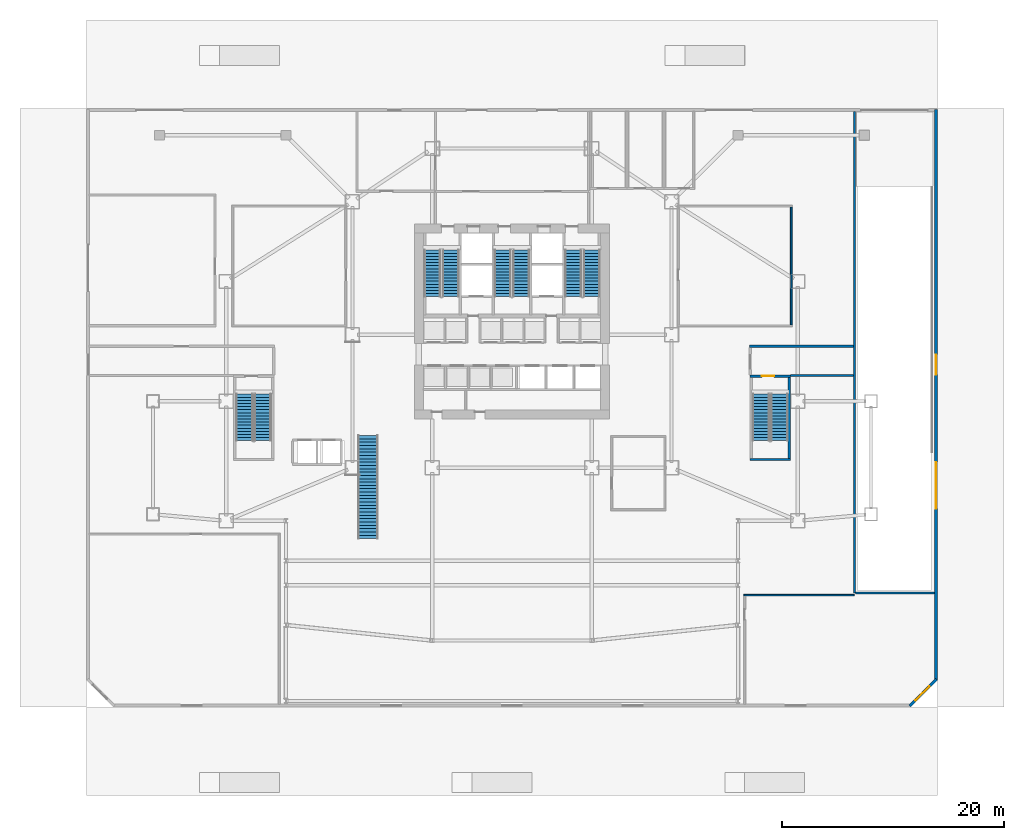
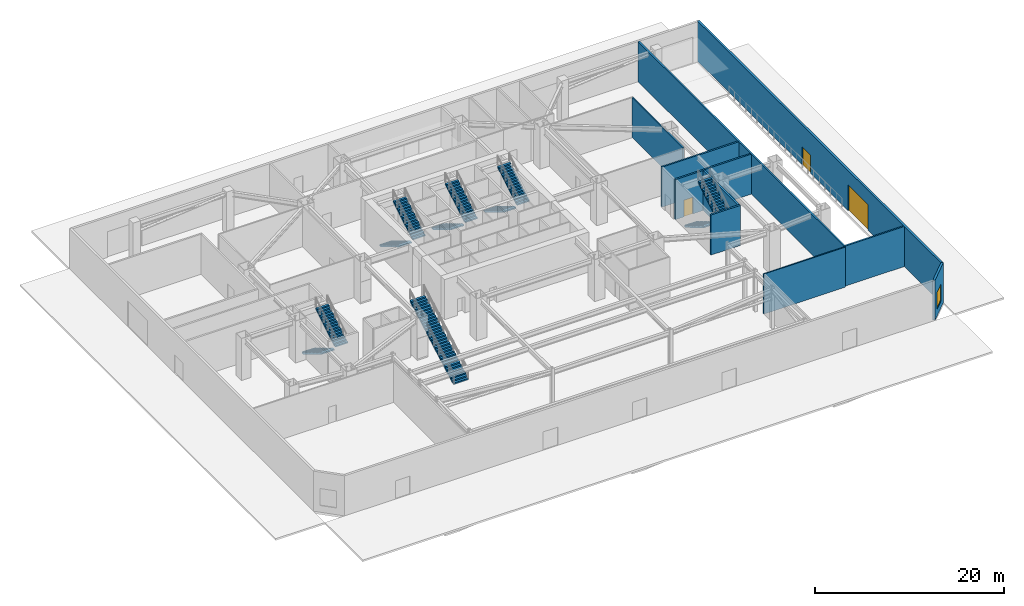
# One storey, part 13 of 20: 11 stair flights, 11 walls, 3 doors, 1 window, 4 openings, 6 elements without a shape of their own.
"""IFC4 building model written with IfcOpenShell, lengths in metres."""

from ifc_helpers import new_model, si_unit, direction, frame, frame_2d, origin, place, context, subcontext, project, spatial, polyline, rectangle, outline, extrude, material, layer, layer_set, type_object, element, fill, aggregate, save


model = new_model("IFC4")

# Units and contexts
model_context = context("Model", 3, precision=1e-05, world=origin(), true_north=direction((0.0, 1.0)))
body_context = subcontext(model_context, "Body", "Model", "MODEL_VIEW")
ifc_project = project(units=[si_unit("LENGTHUNIT", "METRE"), si_unit("AREAUNIT", "SQUARE_METRE"), si_unit("VOLUMEUNIT", "CUBIC_METRE"), si_unit("PLANEANGLEUNIT", "RADIAN"), si_unit("MASSUNIT", "GRAM", prefix="KILO")], contexts=[model_context])

# Site, building, storey
site_placement = place(None, origin())
site = spatial("IfcSite", under=ifc_project, at=site_placement, CompositionType="ELEMENT")
building_placement = place(site_placement, origin())
building = spatial("IfcBuilding", under=site, at=building_placement, Name="Haolan Belvedere Tower", CompositionType="ELEMENT")
storey_placement = place(building_placement, origin())
storey = spatial("IfcBuildingStorey", under=building, at=storey_placement, Name="L00", CompositionType="ELEMENT", Elevation=0.0)

# Wall, opening, window
ifc_material_1 = material(Name="Precast concrete C40/50", Category="concrete")
ifc_layer_1 = layer(ifc_material_1, 0.260009765625, Name="Precast concrete C40/50")
ifc_layer_set_1 = layer_set([ifc_layer_1], Name="Precast concrete C40/50")
wall_type_1 = type_object("IfcWallType", Name="WL-EXT-260", PredefinedType="SOLIDWALL", material=ifc_layer_set_1)
wall_1_placement = place(storey_placement, frame((74.307373046875, 0.091064453125, 0.0), z_axis=(0.0, 0.0, 1.0), x_axis=(0.707106781187, 0.707106781187, 0.0)))
wall_1 = element("IfcWall", 1, at=wall_1_placement, inside=storey, type_object=wall_type_1, Name="L00 pale-metal exterior spandrel wall 1.1", PredefinedType="SOLIDWALL", context=body_context, shape_type="SweptSolid", body=[
    extrude(rectangle(XDim=3.396484375, YDim=0.260009765625, at=frame_2d((1.6982421875, 0.0))), origin(), (0.0, 0.0, 1.0), 5.159912109375),
])
opening_1_placement = place(wall_1_placement, frame((0.699951171875, 0.0, 0.85009765625)))
opening_1 = element("IfcOpeningElement", 2, at=opening_1_placement, cuts=wall_1, Name="Opening W-05", PredefinedType="OPENING", context=body_context, shape_type="SweptSolid", body=[
    extrude(rectangle(XDim=1.800048828125, YDim=2.199951171875, at=frame_2d((0.89990234375, 1.10009765625))), frame((0.0, 0.139892578125, 0.0), z_axis=(0.0, -1.0, 0.0), x_axis=(1.0, 0.0, 0.0)), (0.0, 0.0, 1.0), 0.280029296875),
])
ifc_material_2 = material(Name="Anodised aluminium 6063-T6 and Low-E glass", Category="aluminium")
window_type = type_object("IfcWindowType", Name="WN-POD-210", PartitioningType="SINGLE_PANEL", PredefinedType="WINDOW", material=ifc_material_2)
window_placement = place(opening_1_placement, origin())
window = element("IfcWindow", 3, at=window_placement, inside=storey, type_object=window_type, Name="L00 Art Deco chevron window 1", OverallHeight=2.199951171875, OverallWidth=1.800048828125, PartitioningType="SINGLE_PANEL", PredefinedType="WINDOW", context=body_context, shape_type="SweptSolid", body=[
    extrude(rectangle(XDim=1.800048828125, YDim=2.199951171875, at=frame_2d((0.89990234375, 1.10009765625))), frame((0.0, 0.030029296875, 0.0), z_axis=(0.0, -1.0, 0.0), x_axis=(1.0, 0.0, 0.0)), (0.0, 0.0, 1.0), 0.06005859375),
])
fill(opening_1, window)

# Wall, openings, doors
wall_2_placement = place(storey_placement, frame((76.669921875, 2.398681640625, 0.0), z_axis=(0.0, 0.0, 1.0), x_axis=(0.0, 1.0, 0.0)))
wall_2 = element("IfcWall", 4, at=wall_2_placement, inside=storey, type_object=wall_type_1, Name="L00 pale-metal exterior spandrel wall 2.1", PredefinedType="SOLIDWALL", context=body_context, shape_type="SweptSolid", body=[
    extrude(rectangle(XDim=51.5263671875, YDim=0.260009765625, at=frame_2d((25.76318359375, 0.0))), origin(), (0.0, 0.0, 1.0), 5.159912109375),
])
opening_2_placement = place(wall_2_placement, frame((29.4013671875, 0.0, 0.0), z_axis=(0.0, 0.0, 1.0), x_axis=(-1.0, 0.0, 0.0)))
opening_2 = element("IfcOpeningElement", 5, at=opening_2_placement, cuts=wall_2, Name="Opening ED-01", PredefinedType="OPENING", context=body_context, shape_type="SweptSolid", body=[
    extrude(rectangle(XDim=1.800048828125, YDim=2.35009765625, at=frame_2d((0.89990234375, 1.175048828125))), frame((0.0, 0.139892578125, 0.0), z_axis=(0.0, -1.0, 0.0), x_axis=(1.0, 0.0, 0.0)), (0.0, 0.0, 1.0), 0.280029296875),
])
opening_3_placement = place(wall_2_placement, frame((19.701171875, 0.0, 0.0), z_axis=(0.0, 0.0, 1.0), x_axis=(-1.0, 0.0, 0.0)))
opening_3 = element("IfcOpeningElement", 6, at=opening_3_placement, cuts=wall_2, Name="Opening VG-02", PredefinedType="OPENING", context=body_context, shape_type="SweptSolid", body=[
    extrude(rectangle(XDim=4.199951171875, YDim=3.300048828125, at=frame_2d((2.10009765625, 1.64990234375))), frame((0.0, 0.139892578125, 0.0), z_axis=(0.0, -1.0, 0.0), x_axis=(1.0, 0.0, 0.0)), (0.0, 0.0, 1.0), 0.280029296875),
])
ifc_material_3 = material(Name="Anodised aluminium and tempered glass", Category="aluminium")
door_type_1 = type_object("IfcDoorType", Name="DR-EXT-EXIT-1800", OperationType="DOUBLE_DOOR_SINGLE_SWING", PredefinedType="DOOR", material=ifc_material_3)
door_1_placement = place(opening_2_placement, origin())
door_1 = element("IfcDoor", 7, at=door_1_placement, inside=storey, type_object=door_type_1, Name="L00 east stair ST5 exit discharge door", OperationType="DOUBLE_DOOR_SINGLE_SWING", OverallHeight=2.35009765625, OverallWidth=1.800048828125, PredefinedType="DOOR", context=body_context, shape_type="SweptSolid", body=[
    extrude(rectangle(XDim=1.800048828125, YDim=2.35009765625, at=frame_2d((0.89990234375, 1.175048828125))), frame((0.0, 0.02490234375, 0.0), z_axis=(0.0, -1.0, 0.0), x_axis=(1.0, 0.0, 0.0)), (0.0, 0.0, 1.0), 0.050048828125),
])
fill(opening_2, door_1)
ifc_material_4 = material(Name="Insulated aluminium service bay shutter gate", Category="aluminium")
door_type_2 = type_object("IfcDoorType", Name="DR-GATE-4200", OperationType="SLIDING_TO_RIGHT", PredefinedType="GATE", material=ifc_material_4)
door_2_placement = place(opening_3_placement, origin())
door_2 = element("IfcDoor", 8, at=door_2_placement, inside=storey, type_object=door_type_2, Name="L00 east banquet loading shutter gate VG-04", OperationType="SLIDING_TO_LEFT", OverallHeight=3.300048828125, OverallWidth=4.199951171875, PredefinedType="GATE", context=body_context, shape_type="SweptSolid", body=[
    extrude(rectangle(XDim=4.199951171875, YDim=3.300048828125, at=frame_2d((2.10009765625, 1.64990234375))), frame((0.0, 0.02490234375, 0.0), z_axis=(0.0, -1.0, 0.0), x_axis=(1.0, 0.0, 0.0)), (0.0, 0.0, 1.0), 0.050048828125),
])
fill(opening_3, door_2)

# Walls
ifc_material_5 = material(Name="Concrete C40/50", Category="concrete")
ifc_layer_2 = layer(ifc_material_5, 0.199951171875, Name="Concrete C40/50")
ifc_layer_set_2 = layer_set([ifc_layer_2], Name="Concrete C40/50")
wall_type_2 = type_object("IfcWallType", Name="WL-FIRE-200", PredefinedType="SOLIDWALL", material=ifc_layer_set_2)
wall_3_placement = place(storey_placement, frame((69.300048828125, 10.300048828125, 0.0), z_axis=(0.0, 0.0, 1.0), x_axis=(0.0, 1.0, 0.0)))
element("IfcWall", 9, at=wall_3_placement, inside=storey, type_object=wall_type_2, Name="L00 interior partition IW-L00-RMPE-W", PredefinedType="SOLIDWALL", context=body_context, shape_type="SweptSolid", body=[
    extrude(rectangle(XDim=43.449951171875, YDim=0.199951171875, at=frame_2d((21.72509765625, 0.0))), origin(), (0.0, 0.0, 1.0), 5.159912109375),
])
wall_4_placement = place(storey_placement, frame((69.385009765625, 10.300048828125, 0.0), z_axis=(0.0, 0.0, 1.0), x_axis=(1.0, 0.0, 0.0)))
element("IfcWall", 10, at=wall_4_placement, inside=storey, type_object=wall_type_2, Name="L00 interior partition IW-L00-RMPE-S", PredefinedType="SOLIDWALL", context=body_context, shape_type="SweptSolid", body=[
    extrude(rectangle(XDim=7.1650390625, YDim=0.199951171875, at=frame_2d((3.58251953125, 0.0))), origin(), (0.0, 0.0, 1.0), 5.159912109375),
])
wall_5_placement = place(storey_placement, frame((59.820068359375, 32.550048828125, 0.0), z_axis=(0.0, 0.0, 1.0), x_axis=(1.0, 0.0, 0.0)))
element("IfcWall", 11, at=wall_5_placement, inside=storey, type_object=wall_type_2, Name="L00 interior partition IW-L00-EXP-E-N", PredefinedType="SOLIDWALL", context=body_context, shape_type="SweptSolid", body=[
    extrude(rectangle(XDim=9.39501953125, YDim=0.199951171875, at=frame_2d((4.697509765625, 0.0))), origin(), (0.0, 0.0, 1.0), 5.159912109375),
])
wall_6_placement = place(storey_placement, frame((63.52197265625, 29.919921875, 0.0), z_axis=(0.0, 0.0, 1.0), x_axis=(1.0, 0.0, 0.0)))
element("IfcWall", 12, at=wall_6_placement, inside=storey, type_object=wall_type_2, Name="L00 interior partition IW-L00-EXP-E-SE", PredefinedType="SOLIDWALL", context=body_context, shape_type="SweptSolid", body=[
    extrude(rectangle(XDim=5.693115234375, YDim=0.199951171875, at=frame_2d((2.8466796875, 0.0))), origin(), (0.0, 0.0, 1.0), 5.159912109375),
])
ifc_material_6 = material(Name="Double gypsum acoustic stud partition", Category="masonry")
ifc_layer_3 = layer(ifc_material_6, 0.14990234375, Name="Double gypsum acoustic stud partition")
ifc_layer_set_3 = layer_set([ifc_layer_3], Name="Double gypsum acoustic stud partition")
wall_type_3 = type_object("IfcWallType", Name="WL-PART-150", PredefinedType="PARTITIONING", material=ifc_layer_set_3)
wall_7_placement = place(storey_placement, frame((59.320068359375, 10.10009765625, 0.0), z_axis=(0.0, 0.0, 1.0), x_axis=(1.0, 0.0, 0.0)))
element("IfcWall", 13, at=wall_7_placement, inside=storey, type_object=wall_type_3, Name="L00 interior partition IW-L00-RET-E-N", PredefinedType="PARTITIONING", context=body_context, shape_type="SweptSolid", body=[
    extrude(rectangle(XDim=9.9599609375, YDim=0.14990234375, at=frame_2d((4.97998046875, 0.0))), origin(), (0.0, 0.0, 1.0), 5.159912109375),
])
wall_8_placement = place(storey_placement, frame((63.60009765625, 34.4599609375, 0.0), z_axis=(0.0, 0.0, 1.0), x_axis=(0.0, 1.0, 0.0)))
element("IfcWall", 14, at=wall_8_placement, inside=storey, type_object=wall_type_3, Name="L00 interior partition IW-L00-CONC-E", PredefinedType="PARTITIONING", context=body_context, shape_type="SweptSolid", body=[
    extrude(rectangle(XDim=10.679931640625, YDim=0.14990234375, at=frame_2d((5.33984375, 0.0))), origin(), (0.0, 0.0, 1.0), 5.159912109375),
])

# Wall, opening, door
ifc_material_7 = material(Name="Concrete C50/60", Category="concrete")
ifc_layer_4 = layer(ifc_material_7, 0.219970703125, Name="Concrete C50/60")
ifc_layer_set_4 = layer_set([ifc_layer_4], Name="Concrete C50/60")
wall_type_4 = type_object("IfcWallType", Name="WL-STAIR-220", PredefinedType="SHEAR", material=ifc_layer_set_4)
wall_9_placement = place(storey_placement, frame((59.89990234375, 29.860107421875, 0.0), z_axis=(0.0, 0.0, 1.0), x_axis=(1.0, 0.0, 0.0)))
wall_9 = element("IfcWall", 15, at=wall_9_placement, inside=storey, type_object=wall_type_4, Name="L00 podium stair ST5 structural shaft wall N", PredefinedType="SHEAR", context=body_context, shape_type="SweptSolid", body=[
    extrude(rectangle(XDim=3.6201171875, YDim=0.219970703125, at=frame_2d((1.81005859375, 0.0))), origin(), (0.0, 0.0, 1.0), 5.159912109375),
])
opening_4_placement = place(wall_9_placement, frame((1.050048828125, 0.0, 0.0)))
opening_4 = element("IfcOpeningElement", 16, at=opening_4_placement, cuts=wall_9, Name="Opening FD-03", PredefinedType="OPENING", context=body_context, shape_type="SweptSolid", body=[
    extrude(rectangle(XDim=1.10009765625, YDim=2.14990234375, at=frame_2d((0.550048828125, 1.074951171875))), frame((0.0, 0.119873046875, 0.0), z_axis=(0.0, -1.0, 0.0), x_axis=(1.0, 0.0, 0.0)), (0.0, 0.0, 1.0), 0.239990234375),
])
ifc_material_8 = material(Name="Galvanised fire-rated steel", Category="steel")
door_type_3 = type_object("IfcDoorType", Name="DR-FD90-1100", OperationType="NOTDEFINED", PredefinedType="DOOR", material=ifc_material_8)
door_3_placement = place(opening_4_placement, origin())
door_3 = element("IfcDoor", 17, at=door_3_placement, inside=storey, type_object=door_type_3, Name="L00 door ID-L00-D-ST5", OperationType="SINGLE_SWING_RIGHT", OverallHeight=2.14990234375, OverallWidth=1.10009765625, PredefinedType="DOOR", context=body_context, shape_type="SweptSolid", body=[
    extrude(rectangle(XDim=1.10009765625, YDim=2.14990234375, at=frame_2d((0.550048828125, 1.074951171875))), frame((0.0, 0.02490234375, 0.0), z_axis=(0.0, -1.0, 0.0), x_axis=(1.0, 0.0, 0.0)), (0.0, 0.0, 1.0), 0.050048828125),
])
fill(opening_4, door_3)

# Walls
wall_10_placement = place(storey_placement, frame((59.89990234375, 22.340087890625, 0.0), z_axis=(0.0, 0.0, 1.0), x_axis=(1.0, 0.0, 0.0)))
element("IfcWall", 18, at=wall_10_placement, inside=storey, type_object=wall_type_4, Name="L00 podium stair ST5 structural shaft wall S", PredefinedType="SHEAR", context=body_context, shape_type="SweptSolid", body=[
    extrude(rectangle(XDim=3.6201171875, YDim=0.219970703125, at=frame_2d((1.81005859375, 0.0))), origin(), (0.0, 0.0, 1.0), 5.159912109375),
])
wall_11_placement = place(storey_placement, frame((63.409912109375, 22.449951171875, 0.0), z_axis=(0.0, 0.0, 1.0), x_axis=(0.0, 1.0, 0.0)))
element("IfcWall", 19, at=wall_11_placement, inside=storey, type_object=wall_type_4, Name="L00 podium stair ST5 structural shaft wall E", PredefinedType="SHEAR", context=body_context, shape_type="SweptSolid", body=[
    extrude(rectangle(XDim=7.300048828125, YDim=0.219970703125, at=frame_2d((3.64990234375, 0.0))), origin(), (0.0, 0.0, 1.0), 5.159912109375),
])

# Stair, stair flights
stair_type_1 = type_object("IfcStairType", Name="STR-DL-32R-169", PredefinedType="HALF_TURN_STAIR", material=ifc_material_5)
stair_1_placement = place(storey_placement, origin())
stair_1 = element("IfcStair", 20, at=stair_1_placement, inside=storey, type_object=stair_type_1, Name="L00 Smokeproof Core Exit Stair ST1", PredefinedType="HALF_TURN_STAIR")
stair_flight_type_1 = type_object("IfcStairFlightType", Name="SFL-DL-16R-169", PredefinedType="STRAIGHT", material=ifc_material_5)
stair_flight_1_placement = place(storey_placement, frame((31.2099609375, 41.22998046875, 0.0), z_axis=(0.0, 0.0, 1.0), x_axis=(0.0, -1.0, 0.0)))
stair_flight_1 = element("IfcStairFlight", 21, at=stair_flight_1_placement, type_object=stair_flight_type_1, Name="ST1 flight 1", NumberOfRisers=16, NumberOfTreads=15, PredefinedType="STRAIGHT", RiserHeight=0.16875, TreadLength=0.28, context=body_context, shape_type="SweptSolid", body=[
    extrude(outline(polyline([(0.0, 0.0), (0.0, 0.168701171875), (0.280029296875, 0.168701171875), (0.280029296875, 0.33740234375), (0.56005859375, 0.33740234375), (0.56005859375, 0.50634765625), (0.840087890625, 0.50634765625), (0.840087890625, 0.675048828125), (1.1201171875, 0.675048828125), (1.1201171875, 0.84375), (1.39990234375, 0.84375), (1.39990234375, 1.012451171875), (1.679931640625, 1.012451171875), (1.679931640625, 1.18115234375), (1.9599609375, 1.18115234375), (1.9599609375, 1.35009765625), (2.239990234375, 1.35009765625), (2.239990234375, 1.518798828125), (2.52001953125, 1.518798828125), (2.52001953125, 1.6875), (2.800048828125, 1.6875), (2.800048828125, 1.856201171875), (3.080078125, 1.856201171875), (3.080078125, 2.02490234375), (3.360107421875, 2.02490234375), (3.360107421875, 2.19384765625), (3.639892578125, 2.19384765625), (3.639892578125, 2.362548828125), (3.919921875, 2.362548828125), (3.919921875, 2.53125), (4.199951171875, 2.53125), (4.199951171875, 2.699951171875), (4.199951171875, 2.356201171875), (0.29052734375, 0.0), (0.0, 0.0)])), frame((0.0, 0.760009765625, 0.0), z_axis=(0.0, -1.0, 0.0), x_axis=(1.0, 0.0, 0.0)), (0.0, 0.0, 1.0), 1.52001953125),
])
stair_flight_2_placement = place(storey_placement, frame((32.8701171875, 37.030029296875, 2.699951171875), z_axis=(0.0, 0.0, 1.0), x_axis=(0.0, 1.0, 0.0)))
stair_flight_2 = element("IfcStairFlight", 22, at=stair_flight_2_placement, type_object=stair_flight_type_1, Name="ST1 flight 2", NumberOfRisers=16, NumberOfTreads=15, PredefinedType="STRAIGHT", RiserHeight=0.16875, TreadLength=0.28, context=body_context, shape_type="SweptSolid", body=[
    extrude(outline(polyline([(0.0, 0.0), (0.0, 0.168701171875), (0.280029296875, 0.168701171875), (0.280029296875, 0.33740234375), (0.56005859375, 0.33740234375), (0.56005859375, 0.50634765625), (0.840087890625, 0.50634765625), (0.840087890625, 0.675048828125), (1.1201171875, 0.675048828125), (1.1201171875, 0.84375), (1.39990234375, 0.84375), (1.39990234375, 1.012451171875), (1.679931640625, 1.012451171875), (1.679931640625, 1.18115234375), (1.9599609375, 1.18115234375), (1.9599609375, 1.35009765625), (2.239990234375, 1.35009765625), (2.239990234375, 1.518798828125), (2.52001953125, 1.518798828125), (2.52001953125, 1.6875), (2.800048828125, 1.6875), (2.800048828125, 1.856201171875), (3.080078125, 1.856201171875), (3.080078125, 2.02490234375), (3.360107421875, 2.02490234375), (3.360107421875, 2.19384765625), (3.639892578125, 2.19384765625), (3.639892578125, 2.362548828125), (3.919921875, 2.362548828125), (3.919921875, 2.53125), (4.199951171875, 2.53125), (4.199951171875, 2.699951171875), (4.199951171875, 2.356201171875), (0.29052734375, 0.0), (0.0, 0.0)])), frame((0.0, 0.760009765625, 0.0), z_axis=(0.0, -1.0, 0.0), x_axis=(1.0, 0.0, 0.0)), (0.0, 0.0, 1.0), 1.52001953125),
])
aggregate(stair_1, [stair_flight_1, stair_flight_2])

stair_2_placement = place(storey_placement, origin())
stair_2 = element("IfcStair", 23, at=stair_2_placement, inside=storey, type_object=stair_type_1, Name="L00 Smokeproof Core Exit Stair ST3", PredefinedType="HALF_TURN_STAIR")
stair_flight_3_placement = place(storey_placement, frame((37.570068359375, 41.22998046875, 0.0), z_axis=(0.0, 0.0, 1.0), x_axis=(0.0, -1.0, 0.0)))
stair_flight_3 = element("IfcStairFlight", 24, at=stair_flight_3_placement, type_object=stair_flight_type_1, Name="ST3 flight 1", NumberOfRisers=16, NumberOfTreads=15, PredefinedType="STRAIGHT", RiserHeight=0.16875, TreadLength=0.28, context=body_context, shape_type="SweptSolid", body=[
    extrude(outline(polyline([(0.0, 0.0), (0.0, 0.168701171875), (0.280029296875, 0.168701171875), (0.280029296875, 0.33740234375), (0.56005859375, 0.33740234375), (0.56005859375, 0.50634765625), (0.840087890625, 0.50634765625), (0.840087890625, 0.675048828125), (1.1201171875, 0.675048828125), (1.1201171875, 0.84375), (1.39990234375, 0.84375), (1.39990234375, 1.012451171875), (1.679931640625, 1.012451171875), (1.679931640625, 1.18115234375), (1.9599609375, 1.18115234375), (1.9599609375, 1.35009765625), (2.239990234375, 1.35009765625), (2.239990234375, 1.518798828125), (2.52001953125, 1.518798828125), (2.52001953125, 1.6875), (2.800048828125, 1.6875), (2.800048828125, 1.856201171875), (3.080078125, 1.856201171875), (3.080078125, 2.02490234375), (3.360107421875, 2.02490234375), (3.360107421875, 2.19384765625), (3.639892578125, 2.19384765625), (3.639892578125, 2.362548828125), (3.919921875, 2.362548828125), (3.919921875, 2.53125), (4.199951171875, 2.53125), (4.199951171875, 2.699951171875), (4.199951171875, 2.356201171875), (0.29052734375, 0.0), (0.0, 0.0)])), frame((0.0, 0.760009765625, 0.0), z_axis=(0.0, -1.0, 0.0), x_axis=(1.0, 0.0, 0.0)), (0.0, 0.0, 1.0), 1.52001953125),
])
stair_flight_4_placement = place(storey_placement, frame((39.22998046875, 37.030029296875, 2.699951171875), z_axis=(0.0, 0.0, 1.0), x_axis=(0.0, 1.0, 0.0)))
stair_flight_4 = element("IfcStairFlight", 25, at=stair_flight_4_placement, type_object=stair_flight_type_1, Name="ST3 flight 2", NumberOfRisers=16, NumberOfTreads=15, PredefinedType="STRAIGHT", RiserHeight=0.16875, TreadLength=0.28, context=body_context, shape_type="SweptSolid", body=[
    extrude(outline(polyline([(0.0, 0.0), (0.0, 0.168701171875), (0.280029296875, 0.168701171875), (0.280029296875, 0.33740234375), (0.56005859375, 0.33740234375), (0.56005859375, 0.50634765625), (0.840087890625, 0.50634765625), (0.840087890625, 0.675048828125), (1.1201171875, 0.675048828125), (1.1201171875, 0.84375), (1.39990234375, 0.84375), (1.39990234375, 1.012451171875), (1.679931640625, 1.012451171875), (1.679931640625, 1.18115234375), (1.9599609375, 1.18115234375), (1.9599609375, 1.35009765625), (2.239990234375, 1.35009765625), (2.239990234375, 1.518798828125), (2.52001953125, 1.518798828125), (2.52001953125, 1.6875), (2.800048828125, 1.6875), (2.800048828125, 1.856201171875), (3.080078125, 1.856201171875), (3.080078125, 2.02490234375), (3.360107421875, 2.02490234375), (3.360107421875, 2.19384765625), (3.639892578125, 2.19384765625), (3.639892578125, 2.362548828125), (3.919921875, 2.362548828125), (3.919921875, 2.53125), (4.199951171875, 2.53125), (4.199951171875, 2.699951171875), (4.199951171875, 2.356201171875), (0.29052734375, 0.0), (0.0, 0.0)])), frame((0.0, 0.760009765625, 0.0), z_axis=(0.0, -1.0, 0.0), x_axis=(1.0, 0.0, 0.0)), (0.0, 0.0, 1.0), 1.52001953125),
])
aggregate(stair_2, [stair_flight_3, stair_flight_4])

stair_3_placement = place(storey_placement, origin())
stair_3 = element("IfcStair", 26, at=stair_3_placement, inside=storey, type_object=stair_type_1, Name="L00 Smokeproof Core Exit Stair ST2", PredefinedType="HALF_TURN_STAIR")
stair_flight_5_placement = place(storey_placement, frame((43.929931640625, 41.22998046875, 0.0), z_axis=(0.0, 0.0, 1.0), x_axis=(0.0, -1.0, 0.0)))
stair_flight_5 = element("IfcStairFlight", 27, at=stair_flight_5_placement, type_object=stair_flight_type_1, Name="ST2 flight 1", NumberOfRisers=16, NumberOfTreads=15, PredefinedType="STRAIGHT", RiserHeight=0.16875, TreadLength=0.28, context=body_context, shape_type="SweptSolid", body=[
    extrude(outline(polyline([(0.0, 0.0), (0.0, 0.168701171875), (0.280029296875, 0.168701171875), (0.280029296875, 0.33740234375), (0.56005859375, 0.33740234375), (0.56005859375, 0.50634765625), (0.840087890625, 0.50634765625), (0.840087890625, 0.675048828125), (1.1201171875, 0.675048828125), (1.1201171875, 0.84375), (1.39990234375, 0.84375), (1.39990234375, 1.012451171875), (1.679931640625, 1.012451171875), (1.679931640625, 1.18115234375), (1.9599609375, 1.18115234375), (1.9599609375, 1.35009765625), (2.239990234375, 1.35009765625), (2.239990234375, 1.518798828125), (2.52001953125, 1.518798828125), (2.52001953125, 1.6875), (2.800048828125, 1.6875), (2.800048828125, 1.856201171875), (3.080078125, 1.856201171875), (3.080078125, 2.02490234375), (3.360107421875, 2.02490234375), (3.360107421875, 2.19384765625), (3.639892578125, 2.19384765625), (3.639892578125, 2.362548828125), (3.919921875, 2.362548828125), (3.919921875, 2.53125), (4.199951171875, 2.53125), (4.199951171875, 2.699951171875), (4.199951171875, 2.356201171875), (0.29052734375, 0.0), (0.0, 0.0)])), frame((0.0, 0.760009765625, 0.0), z_axis=(0.0, -1.0, 0.0), x_axis=(1.0, 0.0, 0.0)), (0.0, 0.0, 1.0), 1.52001953125),
])
stair_flight_6_placement = place(storey_placement, frame((45.590087890625, 37.030029296875, 2.699951171875), z_axis=(0.0, 0.0, 1.0), x_axis=(0.0, 1.0, 0.0)))
stair_flight_6 = element("IfcStairFlight", 28, at=stair_flight_6_placement, type_object=stair_flight_type_1, Name="ST2 flight 2", NumberOfRisers=16, NumberOfTreads=15, PredefinedType="STRAIGHT", RiserHeight=0.16875, TreadLength=0.28, context=body_context, shape_type="SweptSolid", body=[
    extrude(outline(polyline([(0.0, 0.0), (0.0, 0.168701171875), (0.280029296875, 0.168701171875), (0.280029296875, 0.33740234375), (0.56005859375, 0.33740234375), (0.56005859375, 0.50634765625), (0.840087890625, 0.50634765625), (0.840087890625, 0.675048828125), (1.1201171875, 0.675048828125), (1.1201171875, 0.84375), (1.39990234375, 0.84375), (1.39990234375, 1.012451171875), (1.679931640625, 1.012451171875), (1.679931640625, 1.18115234375), (1.9599609375, 1.18115234375), (1.9599609375, 1.35009765625), (2.239990234375, 1.35009765625), (2.239990234375, 1.518798828125), (2.52001953125, 1.518798828125), (2.52001953125, 1.6875), (2.800048828125, 1.6875), (2.800048828125, 1.856201171875), (3.080078125, 1.856201171875), (3.080078125, 2.02490234375), (3.360107421875, 2.02490234375), (3.360107421875, 2.19384765625), (3.639892578125, 2.19384765625), (3.639892578125, 2.362548828125), (3.919921875, 2.362548828125), (3.919921875, 2.53125), (4.199951171875, 2.53125), (4.199951171875, 2.699951171875), (4.199951171875, 2.356201171875), (0.29052734375, 0.0), (0.0, 0.0)])), frame((0.0, 0.760009765625, 0.0), z_axis=(0.0, -1.0, 0.0), x_axis=(1.0, 0.0, 0.0)), (0.0, 0.0, 1.0), 1.52001953125),
])
aggregate(stair_3, [stair_flight_5, stair_flight_6])

stair_4_placement = place(storey_placement, origin())
stair_4 = element("IfcStair", 29, at=stair_4_placement, inside=storey, type_object=stair_type_1, Name="L00 West Podium Protected Exit Stair ST4", PredefinedType="HALF_TURN_STAIR")
stair_flight_7_placement = place(storey_placement, frame((14.260009765625, 28.22998046875, 0.0), z_axis=(0.0, 0.0, 1.0), x_axis=(0.0, -1.0, 0.0)))
stair_flight_7 = element("IfcStairFlight", 30, at=stair_flight_7_placement, type_object=stair_flight_type_1, Name="ST4 flight 1", NumberOfRisers=16, NumberOfTreads=15, PredefinedType="STRAIGHT", RiserHeight=0.16875, TreadLength=0.28, context=body_context, shape_type="SweptSolid", body=[
    extrude(outline(polyline([(0.0, 0.0), (0.0, 0.168701171875), (0.280029296875, 0.168701171875), (0.280029296875, 0.33740234375), (0.56005859375, 0.33740234375), (0.56005859375, 0.50634765625), (0.840087890625, 0.50634765625), (0.840087890625, 0.675048828125), (1.1201171875, 0.675048828125), (1.1201171875, 0.84375), (1.39990234375, 0.84375), (1.39990234375, 1.012451171875), (1.679931640625, 1.012451171875), (1.679931640625, 1.18115234375), (1.9599609375, 1.18115234375), (1.9599609375, 1.35009765625), (2.239990234375, 1.35009765625), (2.239990234375, 1.518798828125), (2.52001953125, 1.518798828125), (2.52001953125, 1.6875), (2.800048828125, 1.6875), (2.800048828125, 1.856201171875), (3.080078125, 1.856201171875), (3.080078125, 2.02490234375), (3.360107421875, 2.02490234375), (3.360107421875, 2.19384765625), (3.639892578125, 2.19384765625), (3.639892578125, 2.362548828125), (3.919921875, 2.362548828125), (3.919921875, 2.53125), (4.199951171875, 2.53125), (4.199951171875, 2.699951171875), (4.199951171875, 2.356201171875), (0.29052734375, 0.0), (0.0, 0.0)])), frame((0.0, 0.760009765625, 0.0), z_axis=(0.0, -1.0, 0.0), x_axis=(1.0, 0.0, 0.0)), (0.0, 0.0, 1.0), 1.52001953125),
])
stair_flight_8_placement = place(storey_placement, frame((15.919921875, 24.030029296875, 2.699951171875), z_axis=(0.0, 0.0, 1.0), x_axis=(0.0, 1.0, 0.0)))
stair_flight_8 = element("IfcStairFlight", 31, at=stair_flight_8_placement, type_object=stair_flight_type_1, Name="ST4 flight 2", NumberOfRisers=16, NumberOfTreads=15, PredefinedType="STRAIGHT", RiserHeight=0.16875, TreadLength=0.28, context=body_context, shape_type="SweptSolid", body=[
    extrude(outline(polyline([(0.0, 0.0), (0.0, 0.168701171875), (0.280029296875, 0.168701171875), (0.280029296875, 0.33740234375), (0.56005859375, 0.33740234375), (0.56005859375, 0.50634765625), (0.840087890625, 0.50634765625), (0.840087890625, 0.675048828125), (1.1201171875, 0.675048828125), (1.1201171875, 0.84375), (1.39990234375, 0.84375), (1.39990234375, 1.012451171875), (1.679931640625, 1.012451171875), (1.679931640625, 1.18115234375), (1.9599609375, 1.18115234375), (1.9599609375, 1.35009765625), (2.239990234375, 1.35009765625), (2.239990234375, 1.518798828125), (2.52001953125, 1.518798828125), (2.52001953125, 1.6875), (2.800048828125, 1.6875), (2.800048828125, 1.856201171875), (3.080078125, 1.856201171875), (3.080078125, 2.02490234375), (3.360107421875, 2.02490234375), (3.360107421875, 2.19384765625), (3.639892578125, 2.19384765625), (3.639892578125, 2.362548828125), (3.919921875, 2.362548828125), (3.919921875, 2.53125), (4.199951171875, 2.53125), (4.199951171875, 2.699951171875), (4.199951171875, 2.356201171875), (0.29052734375, 0.0), (0.0, 0.0)])), frame((0.0, 0.760009765625, 0.0), z_axis=(0.0, -1.0, 0.0), x_axis=(1.0, 0.0, 0.0)), (0.0, 0.0, 1.0), 1.52001953125),
])
aggregate(stair_4, [stair_flight_7, stair_flight_8])

stair_5_placement = place(storey_placement, origin())
stair_5 = element("IfcStair", 32, at=stair_5_placement, inside=storey, type_object=stair_type_1, Name="L00 East Podium Protected Exit Stair ST5", PredefinedType="HALF_TURN_STAIR")
stair_flight_9_placement = place(storey_placement, frame((60.8798828125, 28.22998046875, 0.0), z_axis=(0.0, 0.0, 1.0), x_axis=(0.0, -1.0, 0.0)))
stair_flight_9 = element("IfcStairFlight", 33, at=stair_flight_9_placement, type_object=stair_flight_type_1, Name="ST5 flight 1", NumberOfRisers=16, NumberOfTreads=15, PredefinedType="STRAIGHT", RiserHeight=0.16875, TreadLength=0.28, context=body_context, shape_type="SweptSolid", body=[
    extrude(outline(polyline([(0.0, 0.0), (0.0, 0.168701171875), (0.280029296875, 0.168701171875), (0.280029296875, 0.33740234375), (0.56005859375, 0.33740234375), (0.56005859375, 0.50634765625), (0.840087890625, 0.50634765625), (0.840087890625, 0.675048828125), (1.1201171875, 0.675048828125), (1.1201171875, 0.84375), (1.39990234375, 0.84375), (1.39990234375, 1.012451171875), (1.679931640625, 1.012451171875), (1.679931640625, 1.18115234375), (1.9599609375, 1.18115234375), (1.9599609375, 1.35009765625), (2.239990234375, 1.35009765625), (2.239990234375, 1.518798828125), (2.52001953125, 1.518798828125), (2.52001953125, 1.6875), (2.800048828125, 1.6875), (2.800048828125, 1.856201171875), (3.080078125, 1.856201171875), (3.080078125, 2.02490234375), (3.360107421875, 2.02490234375), (3.360107421875, 2.19384765625), (3.639892578125, 2.19384765625), (3.639892578125, 2.362548828125), (3.919921875, 2.362548828125), (3.919921875, 2.53125), (4.199951171875, 2.53125), (4.199951171875, 2.699951171875), (4.199951171875, 2.356201171875), (0.29052734375, 0.0), (0.0, 0.0)])), frame((0.0, 0.760009765625, 0.0), z_axis=(0.0, -1.0, 0.0), x_axis=(1.0, 0.0, 0.0)), (0.0, 0.0, 1.0), 1.52001953125),
])
stair_flight_10_placement = place(storey_placement, frame((62.5400390625, 24.030029296875, 2.699951171875), z_axis=(0.0, 0.0, 1.0), x_axis=(0.0, 1.0, 0.0)))
stair_flight_10 = element("IfcStairFlight", 34, at=stair_flight_10_placement, type_object=stair_flight_type_1, Name="ST5 flight 2", NumberOfRisers=16, NumberOfTreads=15, PredefinedType="STRAIGHT", RiserHeight=0.16875, TreadLength=0.28, context=body_context, shape_type="SweptSolid", body=[
    extrude(outline(polyline([(0.0, 0.0), (0.0, 0.168701171875), (0.280029296875, 0.168701171875), (0.280029296875, 0.33740234375), (0.56005859375, 0.33740234375), (0.56005859375, 0.50634765625), (0.840087890625, 0.50634765625), (0.840087890625, 0.675048828125), (1.1201171875, 0.675048828125), (1.1201171875, 0.84375), (1.39990234375, 0.84375), (1.39990234375, 1.012451171875), (1.679931640625, 1.012451171875), (1.679931640625, 1.18115234375), (1.9599609375, 1.18115234375), (1.9599609375, 1.35009765625), (2.239990234375, 1.35009765625), (2.239990234375, 1.518798828125), (2.52001953125, 1.518798828125), (2.52001953125, 1.6875), (2.800048828125, 1.6875), (2.800048828125, 1.856201171875), (3.080078125, 1.856201171875), (3.080078125, 2.02490234375), (3.360107421875, 2.02490234375), (3.360107421875, 2.19384765625), (3.639892578125, 2.19384765625), (3.639892578125, 2.362548828125), (3.919921875, 2.362548828125), (3.919921875, 2.53125), (4.199951171875, 2.53125), (4.199951171875, 2.699951171875), (4.199951171875, 2.356201171875), (0.29052734375, 0.0), (0.0, 0.0)])), frame((0.0, 0.760009765625, 0.0), z_axis=(0.0, -1.0, 0.0), x_axis=(1.0, 0.0, 0.0)), (0.0, 0.0, 1.0), 1.52001953125),
])
aggregate(stair_5, [stair_flight_9, stair_flight_10])

# Stair, stair flight
stair_type_2 = type_object("IfcStairType", Name="STR-STR-ST6", PredefinedType="STRAIGHT_RUN_STAIR", material=ifc_material_1)
stair_6_placement = place(storey_placement, origin())
stair_6 = element("IfcStair", 35, at=stair_6_placement, inside=storey, type_object=stair_type_2, Name="L00 feature straight stair ST6", PredefinedType="STRAIGHT_RUN_STAIR")
stair_flight_type_2 = type_object("IfcStairFlightType", Name="SFL-STR-ST6", PredefinedType="STRAIGHT", material=ifc_material_1)
stair_flight_11_placement = place(storey_placement, frame((25.39990234375, 15.199951171875, 0.0), z_axis=(0.0, 0.0, 1.0), x_axis=(0.0, 1.0, 0.0)))
stair_flight_11 = element("IfcStairFlight", 36, at=stair_flight_11_placement, type_object=stair_flight_type_2, Name="ST6 flight 1", NumberOfRisers=32, NumberOfTreads=31, PredefinedType="STRAIGHT", RiserHeight=0.16875, TreadLength=0.3, context=body_context, shape_type="SweptSolid", body=[
    extrude(outline(polyline([(0.0, 0.0), (0.0, 0.168701171875), (0.300048828125, 0.168701171875), (0.300048828125, 0.33740234375), (0.60009765625, 0.33740234375), (0.60009765625, 0.50634765625), (0.89990234375, 0.50634765625), (0.89990234375, 0.675048828125), (1.199951171875, 0.675048828125), (1.199951171875, 0.84375), (1.5, 0.84375), (1.5, 1.012451171875), (1.800048828125, 1.012451171875), (1.800048828125, 1.18115234375), (2.10009765625, 1.18115234375), (2.10009765625, 1.35009765625), (2.39990234375, 1.35009765625), (2.39990234375, 1.518798828125), (2.699951171875, 1.518798828125), (2.699951171875, 1.6875), (3.0, 1.6875), (3.0, 1.856201171875), (3.300048828125, 1.856201171875), (3.300048828125, 2.02490234375), (3.60009765625, 2.02490234375), (3.60009765625, 2.19384765625), (3.89990234375, 2.19384765625), (3.89990234375, 2.362548828125), (4.199951171875, 2.362548828125), (4.199951171875, 2.53125), (4.5, 2.53125), (4.5, 2.699951171875), (4.800048828125, 2.699951171875), (4.800048828125, 2.86865234375), (5.10009765625, 2.86865234375), (5.10009765625, 3.03759765625), (5.39990234375, 3.03759765625), (5.39990234375, 3.206298828125), (5.699951171875, 3.206298828125), (5.699951171875, 3.375), (6.0, 3.375), (6.0, 3.543701171875), (6.300048828125, 3.543701171875), (6.300048828125, 3.71240234375), (6.60009765625, 3.71240234375), (6.60009765625, 3.88134765625), (6.89990234375, 3.88134765625), (6.89990234375, 4.050048828125), (7.199951171875, 4.050048828125), (7.199951171875, 4.21875), (7.5, 4.21875), (7.5, 4.387451171875), (7.800048828125, 4.387451171875), (7.800048828125, 4.55615234375), (8.10009765625, 4.55615234375), (8.10009765625, 4.72509765625), (8.39990234375, 4.72509765625), (8.39990234375, 4.893798828125), (8.699951171875, 4.893798828125), (8.699951171875, 5.0625), (9.0, 5.0625), (9.0, 5.231201171875), (9.300048828125, 5.231201171875), (9.300048828125, 5.39990234375), (9.300048828125, 5.02490234375), (0.366943359375, 0.0), (0.0, 0.0)])), frame((0.0, 0.89990234375, 0.0), z_axis=(0.0, -1.0, 0.0), x_axis=(1.0, 0.0, 0.0)), (0.0, 0.0, 1.0), 1.800048828125),
])
aggregate(stair_6, [stair_flight_11])

save(model, "model.ifc")
